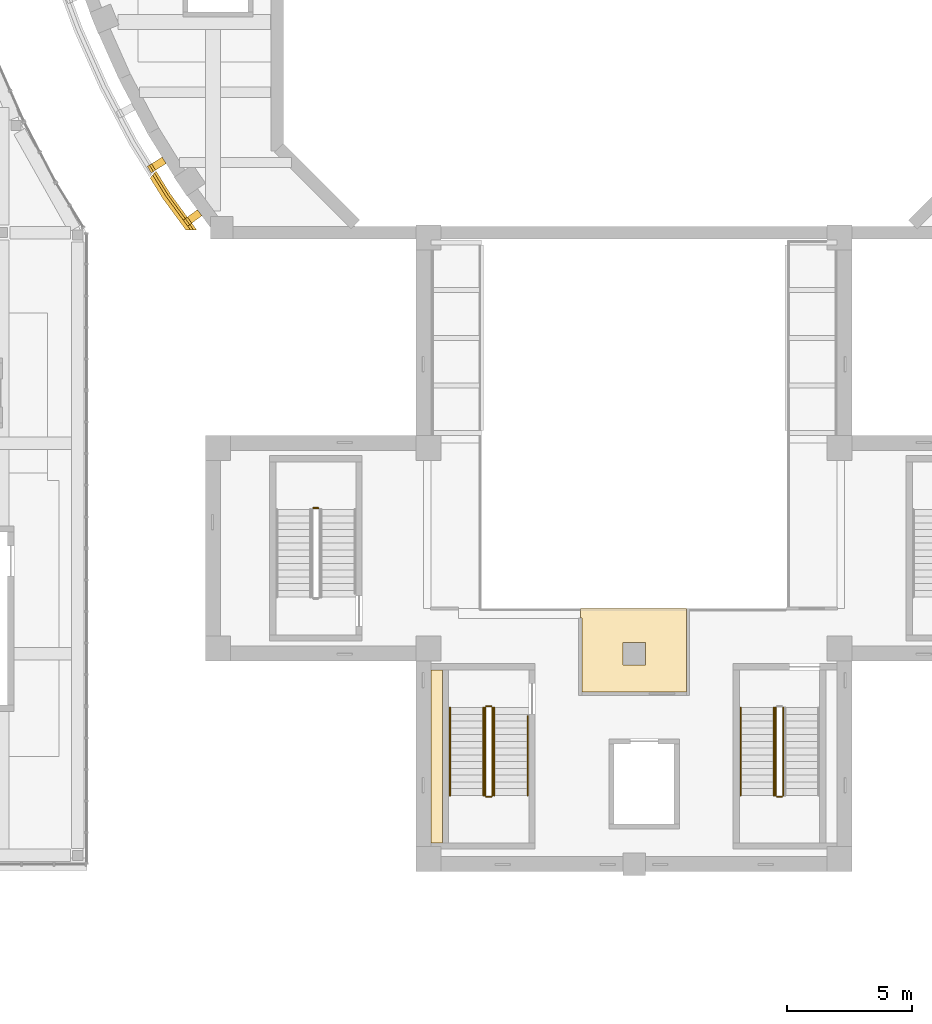
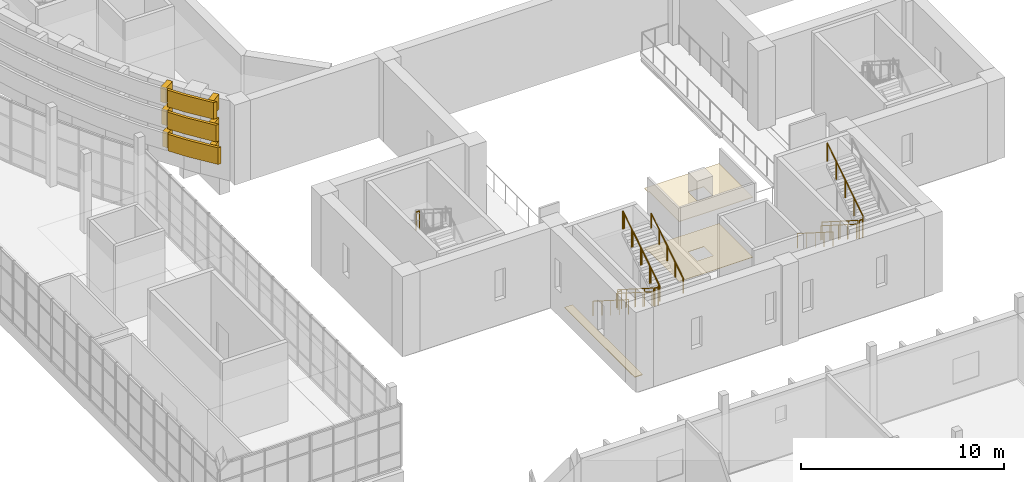
# One storey, part 81 of 103: 14 railings, 12 coverings.
"""IFC4 building model written with IfcOpenShell, lengths in metres."""

import ifcopenshell
import ifcopenshell.guid

model = None  # the IFC model being written
_history = None  # IfcOwnerHistory: only IFC2X3 demands one
_inside = {}  # id of a spatial element -> (the spatial element, [elements in it])
_under = {}  # id of a project, library or spatial element -> (it, [spatial elements below it])
_declared = {}  # id of a project -> (the project, [libraries it declares])
_typed = {}  # id of a type object -> (the type object, [elements of that type])
_made_of = {}  # id of a material, layer set ... -> (it, [elements and type objects made of it])


def new_model(schema):
    """Start an empty IFC model of exactly this schema.

    Asked for "IFC4X3", IfcOpenShell would pick the latest addendum, in which some entities
    have other attributes; the version numbers below select the first issue.
    IFC2X3 requires an IfcOwnerHistory on every rooted entity: one is made here for all.
    """
    global model, _history
    if schema == "IFC4X3":
        model = ifcopenshell.file(schema_version=(4, 3, 0, 0))
    else:
        model = ifcopenshell.file(schema=schema)
    _inside.clear()
    _under.clear()
    _declared.clear()
    _typed.clear()
    _made_of.clear()
    _history = None
    if model.schema == "IFC2X3":
        org = make("IfcOrganization", Name="unknown")
        user = make(
            "IfcPersonAndOrganization",
            ThePerson=make("IfcPerson", FamilyName="unknown"),
            TheOrganization=org,
        )
        app = make(
            "IfcApplication",
            ApplicationDeveloper=org,
            Version="unknown",
            ApplicationFullName="unknown",
            ApplicationIdentifier="unknown",
        )
        _history = make(
            "IfcOwnerHistory",
            OwningUser=user,
            OwningApplication=app,
            ChangeAction="ADDED",
            CreationDate=0,
        )
    return model


def make(cls, **values):
    """One entity of the class cls with the attributes given. An attribute that is None is left unset."""
    return model.create_entity(
        cls, **{name: value for name, value in values.items() if value is not None}
    )


def rooted(cls, **values):
    """An entity with a GlobalId (a new one), such as an element, a storey or a relation."""
    return make(cls, GlobalId=ifcopenshell.guid.new(), OwnerHistory=_history, **values)


def si_unit(unit_type, name, prefix=None):
    """IfcSIUnit, for example si_unit("LENGTHUNIT", "METRE", prefix="MILLI")."""
    return make("IfcSIUnit", UnitType=unit_type, Prefix=prefix, Name=name)


def assignment(units):
    """IfcUnitAssignment: the units of a project."""
    return None if units is None else make("IfcUnitAssignment", Units=units)


def point(xyz):
    """IfcCartesianPoint."""
    return None if xyz is None else make("IfcCartesianPoint", Coordinates=xyz)


def direction(xyz):
    """IfcDirection."""
    return None if xyz is None else make("IfcDirection", DirectionRatios=xyz)


def frame(location, z_axis=None, x_axis=None):
    """IfcAxis2Placement3D, a coordinate frame: its origin and axes. An axis left out is left unset."""
    return make(
        "IfcAxis2Placement3D",
        Location=point(location),
        Axis=direction(z_axis),
        RefDirection=direction(x_axis),
    )


def frame_2d(location, x_axis=None):
    """IfcAxis2Placement2D, a coordinate frame in the plane: its origin and x axis."""
    return make(
        "IfcAxis2Placement2D", Location=point(location), RefDirection=direction(x_axis)
    )


def origin():
    """The frame at (0, 0, 0) with its axes left unset."""
    return frame((0.0, 0.0, 0.0))


def origin_2d():
    """The frame at (0, 0) in the plane with its x axis left unset."""
    return frame_2d((0.0, 0.0))


def place(relative_to, where):
    """IfcLocalPlacement: puts the frame where relative to a parent placement (None: the world)."""
    return make(
        "IfcLocalPlacement", PlacementRelTo=relative_to, RelativePlacement=where
    )


def context(
    kind, dimensions, precision=None, world=None, true_north=None, identifier=None
):
    """IfcGeometricRepresentationContext, for example the 3D "Model" context."""
    return make(
        "IfcGeometricRepresentationContext",
        ContextIdentifier=identifier,
        ContextType=kind,
        CoordinateSpaceDimension=dimensions,
        Precision=precision,
        WorldCoordinateSystem=world,
        TrueNorth=true_north,
    )


def subcontext(parent, identifier, kind, view, scale=None):
    """IfcGeometricRepresentationSubContext, for example "Body" below "Model"."""
    return make(
        "IfcGeometricRepresentationSubContext",
        ContextIdentifier=identifier,
        ContextType=kind,
        ParentContext=parent,
        TargetScale=scale,
        TargetView=view,
    )


def project(units=None, contexts=None):
    """IfcProject with its units and contexts."""
    return rooted(
        "IfcProject",
        Name="project",
        RepresentationContexts=contexts,
        UnitsInContext=assignment(units),
    )


def spatial(cls, under=None, at=None, **own):
    """A site, building, storey or space (cls), placed at a placement, below another one or the project."""
    s = rooted(cls, ObjectPlacement=at, **own)
    if under is not None:
        _under.setdefault(under.id(), (under, []))[1].append(s)
    return s


def polyline(points):
    """IfcPolyline through the points."""
    return make("IfcPolyline", Points=[point(p) for p in points])


def profile(cls, at=None, kind="AREA", **sizes):
    """A parametric profile (cls). Its sizes go by their IFC names, for example OverallWidth=200.0."""
    return make(cls, ProfileType=kind, Position=at, **sizes)


def rectangle(**sizes):
    """IfcRectangleProfileDef."""
    return profile("IfcRectangleProfileDef", **sizes)


def circle(**sizes):
    """IfcCircleProfileDef."""
    return profile("IfcCircleProfileDef", **sizes)


def outline(outer, holes=None, kind="AREA"):
    """IfcArbitraryClosedProfileDef: a profile drawn as a closed curve; with holes, ...WithVoids."""
    if holes is None:
        return make("IfcArbitraryClosedProfileDef", ProfileType=kind, OuterCurve=outer)
    return make(
        "IfcArbitraryProfileDefWithVoids",
        ProfileType=kind,
        OuterCurve=outer,
        InnerCurves=holes,
    )


def extrude(swept, where, along, depth):
    """IfcExtrudedAreaSolid: the profile swept, set in the frame where, extruded along a direction by depth."""
    return make(
        "IfcExtrudedAreaSolid",
        SweptArea=swept,
        Position=where,
        ExtrudedDirection=direction(along),
        Depth=depth,
    )


def shape(context_of_items, identifier, shape_type, items):
    """IfcShapeRepresentation: the items that make up one representation, for example the "Body"."""
    return make(
        "IfcShapeRepresentation",
        ContextOfItems=context_of_items,
        RepresentationIdentifier=identifier,
        RepresentationType=shape_type,
        Items=items,
    )


def material(Name=None, Category=None):
    """IfcMaterial."""
    return make("IfcMaterial", Name=Name, Category=Category)


def layer(
    of_material, thickness, ventilated=None, Name=None, Category=None, Priority=None
):
    """IfcMaterialLayer: one layer of a wall or slab, of a material (None: an air gap)."""
    return make(
        "IfcMaterialLayer",
        Material=of_material,
        LayerThickness=thickness,
        IsVentilated=ventilated,
        Name=Name,
        Category=Category,
        Priority=Priority,
    )


def layer_set(layers, Name=None):
    """IfcMaterialLayerSet."""
    return make("IfcMaterialLayerSet", MaterialLayers=layers, LayerSetName=Name)


def made_of(thing, what):
    """Note that an element or type object is made of a material, layer set ...; save() writes the relation."""
    if what is not None:
        _made_of.setdefault(what.id(), (what, []))[1].append(thing)
    return thing


def type_object(cls, material=None, **own):
    """A type object (cls), such as IfcWallType, which elements share."""
    return made_of(rooted(cls, **own), material)


def element(
    cls,
    number,
    at=None,
    inside=None,
    cuts=None,
    type_object=None,
    material=None,
    context=None,
    identifier="Body",
    shape_type=None,
    held_by="IfcProductDefinitionShape",
    body=None,
    shapes=None,
    **own,
):
    """One element of the class cls, such as IfcWall. Its Tag is "e" and its number.

    at: its placement. inside: the storey or other place that contains it. cuts: it is an
    opening in that element (IfcRelVoidsElement). A single representation is given by context,
    identifier, shape_type and body (its items); several are given by shapes. held_by: the class
    of the entity that holds the representations. save() writes the other relations.
    """
    e = rooted(cls, Tag="e%d" % number, ObjectPlacement=at, **own)
    if body is not None:
        shapes = [shape(context, identifier, shape_type, body)]
    if shapes is not None:
        e.Representation = make(held_by, Representations=shapes)
    if inside is not None:
        _inside.setdefault(inside.id(), (inside, []))[1].append(e)
    if cuts is not None:
        rooted(
            "IfcRelVoidsElement", RelatingBuildingElement=cuts, RelatedOpeningElement=e
        )
    if type_object is not None:
        _typed.setdefault(type_object.id(), (type_object, []))[1].append(e)
    return made_of(e, material)


def aggregate(whole, parts):
    """IfcRelAggregates: a whole, such as a stair, and the parts it consists of."""
    return rooted("IfcRelAggregates", RelatingObject=whole, RelatedObjects=parts)


def save(model, path):
    """Write the relations noted so far, then the file.

    IfcRelAggregates (storeys below a building ...), IfcRelContainedInSpatialStructure (elements
    in a storey), IfcRelDefinesByType, IfcRelAssociatesMaterial and IfcRelDeclares: one each for
    every whole, place, type object, material and project.
    """
    for whole, parts in _under.values():
        aggregate(whole, parts)
    for where, things in _inside.values():
        rooted(
            "IfcRelContainedInSpatialStructure",
            RelatedElements=things,
            RelatingStructure=where,
        )
    for kind, things in _typed.values():
        rooted("IfcRelDefinesByType", RelatedObjects=things, RelatingType=kind)
    for what, things in _made_of.values():
        rooted("IfcRelAssociatesMaterial", RelatedObjects=things, RelatingMaterial=what)
    for by, libraries in _declared.values():
        rooted("IfcRelDeclares", RelatingContext=by, RelatedDefinitions=libraries)
    model.write(path)


model = new_model("IFC4")

# Units and contexts
model_context = context("Model", 3, precision=1e-05, world=origin(), true_north=direction((0.0, 1.0)))
body_context = subcontext(model_context, "Body", "Model", "MODEL_VIEW")
ifc_project = project(units=[si_unit("LENGTHUNIT", "METRE"), si_unit("AREAUNIT", "SQUARE_METRE"), si_unit("VOLUMEUNIT", "CUBIC_METRE"), si_unit("PLANEANGLEUNIT", "RADIAN"), si_unit("MASSUNIT", "GRAM", prefix="KILO")], contexts=[model_context])

# Site, building, storey
site_placement = place(None, origin())
site = spatial("IfcSite", under=ifc_project, at=site_placement, CompositionType="ELEMENT")
building_placement = place(site_placement, origin())
building = spatial("IfcBuilding", under=site, at=building_placement, Name="Larchfold Concert Hall", CompositionType="ELEMENT")
storey_placement = place(building_placement, frame((0.0, 0.0, 9.60009765625)))
storey = spatial("IfcBuildingStorey", under=building, at=storey_placement, Name="L02", CompositionType="ELEMENT", Elevation=9.60009765625)

# Coverings
ifc_material_1 = material(Name="Plasterboard ceiling lining")
ifc_layer_1 = layer(ifc_material_1, 0.030029296875)
ifc_layer_set_1 = layer_set([ifc_layer_1], Name="Plasterboard ceiling lining")
covering_type_1 = type_object("IfcCoveringType", Name="Ceiling suspended plasterboard 30", PredefinedType="CEILING", material=ifc_layer_set_1)
covering_1_placement = place(storey_placement, frame((0.0, 0.0, 3.590087890625)))
element("IfcCovering", 1, at=covering_1_placement, inside=storey, type_object=covering_type_1, Name="Ceiling Technical Workshop", PredefinedType="CEILING", context=body_context, shape_type="SweptSolid", body=[
    extrude(outline(polyline([(40.449462890625, 44.39990234375), (40.449462890625, 44.01904296875), (40.512451171875, 44.01904296875), (40.512451171875, 41.0625), (44.6875, 41.0625), (44.6875, 44.39990234375), (40.449462890625, 44.39990234375)]), holes=[polyline([(43.050048828125, 42.150146484375), (42.150146484375, 42.150146484375), (42.150146484375, 43.050048828125), (43.050048828125, 43.050048828125), (43.050048828125, 42.150146484375)])]), origin(), (0.0, 0.0, 1.0), 0.030029296875),
])
ifc_material_2 = material(Name="Polished terrazzo")
ifc_layer_2 = layer(ifc_material_2, 0.0400390625)
ifc_layer_set_2 = layer_set([ifc_layer_2], Name="Polished terrazzo")
covering_type_2 = type_object("IfcCoveringType", Name="Floor finish terrazzo 40", PredefinedType="FLOORING", material=ifc_layer_set_2)
covering_2_placement = place(storey_placement, origin())
element("IfcCovering", 2, at=covering_2_placement, inside=storey, type_object=covering_type_2, Name="Floor finish Fly Gallery Walkway 01", PredefinedType="FLOORING", context=body_context, shape_type="SweptSolid", body=[
    extrude(outline(polyline([(34.5, 35.050048828125), (34.949951171875, 35.050048828125), (34.949951171875, 41.949951171875), (34.5, 41.949951171875), (34.5, 35.050048828125)])), origin(), (0.0, 0.0, 1.0), 0.0400390625),
])
ifc_material_3 = material(Name="Linoleum sheet")
ifc_layer_3 = layer(ifc_material_3, 0.02001953125)
ifc_layer_set_3 = layer_set([ifc_layer_3], Name="Linoleum sheet")
covering_type_3 = type_object("IfcCoveringType", Name="Floor finish vinyl 20", PredefinedType="FLOORING", material=ifc_layer_set_3)
covering_3_placement = place(storey_placement, origin())
element("IfcCovering", 3, at=covering_3_placement, inside=storey, type_object=covering_type_3, Name="Floor finish Technical Workshop", PredefinedType="FLOORING", context=body_context, shape_type="SweptSolid", body=[
    extrude(outline(polyline([(40.449462890625, 44.39990234375), (40.449462890625, 44.01904296875), (40.512451171875, 44.01904296875), (40.512451171875, 41.0625), (44.6875, 41.0625), (44.6875, 44.39990234375), (40.449462890625, 44.39990234375)]), holes=[polyline([(43.050048828125, 42.150146484375), (42.150146484375, 42.150146484375), (42.150146484375, 43.050048828125), (43.050048828125, 43.050048828125), (43.050048828125, 42.150146484375)])]), origin(), (0.0, 0.0, 1.0), 0.02001953125),
])
ifc_material_4 = material(Name="Powder-coated orange aluminium", Category="aluminium")
ifc_layer_4 = layer(ifc_material_4, 0.14990234375)
ifc_layer_set_4 = layer_set([ifc_layer_4], Name="Powder-coated orange aluminium")
covering_type_4 = type_object("IfcCoveringType", Name="Orange aluminium ring cladding", PredefinedType="CLADDING", material=ifc_layer_set_4)
covering_4_placement = place(storey_placement, frame((0.0, 0.0, 1.2998046875)))
element("IfcCovering", 4, at=covering_4_placement, inside=storey, type_object=covering_type_4, Name="Ring band R03d", PredefinedType="CLADDING", context=body_context, shape_type="SweptSolid", body=[
    extrude(outline(polyline([(23.523681640625, 61.858154296875), (23.422119140625, 61.7373046875), (23.960205078125, 60.87158203125), (24.96435546875, 59.5), (25.150390625, 59.5), (24.084716796875, 60.95556640625), (23.523681640625, 61.858154296875)])), origin(), (0.0, 0.0, 1.0), 1.0),
])
covering_5_placement = place(storey_placement, frame((0.0, 0.0, 2.699951171875)))
element("IfcCovering", 5, at=covering_5_placement, inside=storey, type_object=covering_type_4, Name="Ring band R04d", PredefinedType="CLADDING", context=body_context, shape_type="SweptSolid", body=[
    extrude(outline(polyline([(23.4560546875, 61.777587890625), (23.3544921875, 61.656982421875), (23.877197265625, 60.8154296875), (24.840576171875, 59.5), (25.0263671875, 59.5), (24.001708984375, 60.899658203125), (23.4560546875, 61.777587890625)])), origin(), (0.0, 0.0, 1.0), 1.0),
])
covering_6_placement = place(storey_placement, frame((0.0, 0.0, 4.099853515625)))
element("IfcCovering", 6, at=covering_6_placement, inside=storey, type_object=covering_type_4, Name="Ring band R05d", PredefinedType="CLADDING", context=body_context, shape_type="SweptSolid", body=[
    extrude(outline(polyline([(23.388427734375, 61.697021484375), (23.286865234375, 61.576416015625), (23.79443359375, 60.759521484375), (24.716552734375, 59.5), (24.90234375, 59.5), (23.918701171875, 60.843505859375), (23.388427734375, 61.697021484375)])), origin(), (0.0, 0.0, 1.0), 1.0),
])
ifc_material_5 = material(Name="Galvanised steel bracket", Category="steel")
ifc_layer_5 = layer(ifc_material_5, 0.300048828125)
ifc_layer_set_5 = layer_set([ifc_layer_5], Name="Galvanised steel bracket")
covering_type_5 = type_object("IfcCoveringType", Name="Ring support bracket", PredefinedType="CLADDING", material=ifc_layer_set_5)
for number, where, z_axis, x_axis, name in (
    (7, (23.635986328125, 62.1513671875, 1.349853515625), (0.0, 0.0, 1.0), (-0.849390839977, -0.527764342263, 0.0), "Ring bracket BR-R03-25"),
    (8, (25.06103515625, 60.045166015625, 1.349853515625), (0.0, 0.0, 1.0), (-0.80684915404, -0.590757515927, 0.0), "Ring bracket BR-R03-26"),
):
    element("IfcCovering", number, at=place(storey_placement, frame(where, z_axis=z_axis, x_axis=x_axis)), inside=storey, type_object=covering_type_5, Name=name, PredefinedType="CLADDING", context=body_context, shape_type="SweptSolid", body=[
        extrude(rectangle(XDim=0.5, YDim=0.300048828125, at=origin_2d()), origin(), (0.0, 0.0, 1.0), 0.89990234375),
    ])
for number, where, z_axis, x_axis, name in (
    (9, (23.593505859375, 62.125, 2.75), (0.0, 0.0, 1.0), (-0.849390839977, -0.527764342263, 0.0), "Ring bracket BR-R04-25"),
    (10, (25.020751953125, 60.015625, 2.75), (0.0, 0.0, 1.0), (-0.80684915404, -0.590757515927, 0.0), "Ring bracket BR-R04-26"),
):
    element("IfcCovering", number, at=place(storey_placement, frame(where, z_axis=z_axis, x_axis=x_axis)), inside=storey, type_object=covering_type_5, Name=name, PredefinedType="CLADDING", context=body_context, shape_type="SweptSolid", body=[
        extrude(rectangle(XDim=0.60009765625, YDim=0.300048828125, at=origin_2d()), origin(), (0.0, 0.0, 1.0), 0.89990234375),
    ])
for number, where, z_axis, x_axis, name in (
    (11, (23.551025390625, 62.0986328125, 4.14990234375), (0.0, 0.0, 1.0), (-0.849390839977, -0.527764342263, 0.0), "Ring bracket BR-R05-25"),
    (12, (24.98046875, 59.986083984375, 4.14990234375), (0.0, 0.0, 1.0), (-0.80684915404, -0.590757515927, 0.0), "Ring bracket BR-R05-26"),
):
    element("IfcCovering", number, at=place(storey_placement, frame(where, z_axis=z_axis, x_axis=x_axis)), inside=storey, type_object=covering_type_5, Name=name, PredefinedType="CLADDING", context=body_context, shape_type="SweptSolid", body=[
        extrude(rectangle(XDim=0.699951171875, YDim=0.300048828125, at=origin_2d()), origin(), (0.0, 0.0, 1.0), 0.89990234375),
    ])

# Railings
ifc_material_6 = material(Name="Stainless steel balustrade", Category="steel")
railing_type_1 = type_object("IfcRailingType", Name="Stair guard 1100", PredefinedType="GUARDRAIL", material=ifc_material_6)
railing_1_placement = place(storey_placement, frame((30.0, 48.41015625, 2.39990234375)))
element("IfcRailing", 13, at=railing_1_placement, inside=storey, type_object=railing_type_1, Name="Guard GR0037", PredefinedType="GUARDRAIL", context=body_context, shape_type="SweptSolid", body=[
    extrude(circle(Radius=0.02392578125, at=origin_2d()), frame((0.0, 0.0, 1.076171875), z_axis=(-1.0, 0.0, 0.0), x_axis=(0.0, -1.0, 0.0)), (0.0, 0.0, 1.0), 0.199951171875),
    extrude(circle(Radius=0.02099609375, at=origin_2d()), origin(), (0.0, 0.0, 1.0), 1.052001953125),
    extrude(circle(Radius=0.02099609375, at=origin_2d()), frame((-0.199951171875, 0.0, 0.0)), (0.0, 0.0, 1.0), 1.052001953125),
])
railing_2_placement = place(storey_placement, frame((36.64990234375, 40.449951171875, 0.17138671875)))
element("IfcRailing", 14, at=railing_2_placement, inside=storey, type_object=railing_type_1, Name="Guard GR0044", PredefinedType="GUARDRAIL", context=body_context, shape_type="SweptSolid", body=[
    extrude(circle(Radius=0.02392578125, at=origin_2d()), frame((0.0, 0.0, 1.076171875), z_axis=(0.0, -0.844219563411, 0.53599750816), x_axis=(1.0, 0.0, 0.0)), (0.0, 0.0, 1.0), 4.15771484375),
    extrude(circle(Radius=0.02099609375, at=origin_2d()), origin(), (0.0, 0.0, 1.0), 1.052001953125),
    extrude(circle(Radius=0.02099609375, at=origin_2d()), frame((0.0, -0.87744140625, 0.55712890625)), (0.0, 0.0, 1.0), 1.052001953125),
    extrude(circle(Radius=0.02099609375, at=origin_2d()), frame((0.0, -1.7548828125, 1.1142578125)), (0.0, 0.0, 1.0), 1.052001953125),
    extrude(circle(Radius=0.02099609375, at=origin_2d()), frame((0.0, -2.632568359375, 1.67138671875)), (0.0, 0.0, 1.0), 1.052001953125),
    extrude(circle(Radius=0.02099609375, at=origin_2d()), frame((0.0, -3.510009765625, 2.228515625)), (0.0, 0.0, 1.0), 1.052001953125),
])
railing_3_placement = place(storey_placement, frame((36.699951171875, 36.889892578125, 2.39990234375)))
element("IfcRailing", 15, at=railing_3_placement, inside=storey, type_object=railing_type_1, Name="Guard GR0045", PredefinedType="GUARDRAIL", context=body_context, shape_type="SweptSolid", body=[
    extrude(circle(Radius=0.02392578125, at=origin_2d()), frame((0.0, 0.0, 1.076171875), z_axis=(1.0, 0.0, 0.0), x_axis=(0.0, 1.0, 0.0)), (0.0, 0.0, 1.0), 0.199951171875),
    extrude(circle(Radius=0.02099609375, at=origin_2d()), origin(), (0.0, 0.0, 1.0), 1.052001953125),
    extrude(circle(Radius=0.02099609375, at=origin_2d()), frame((0.199951171875, 0.0, 0.0)), (0.0, 0.0, 1.0), 1.052001953125),
])
railing_4_placement = place(storey_placement, frame((36.949951171875, 36.93994140625, 2.5712890625)))
element("IfcRailing", 16, at=railing_4_placement, inside=storey, type_object=railing_type_1, Name="Guard GR0046", PredefinedType="GUARDRAIL", context=body_context, shape_type="SweptSolid", body=[
    extrude(circle(Radius=0.02392578125, at=origin_2d()), frame((0.0, 0.0, 1.076171875), z_axis=(0.0, 0.844219563411, 0.53599750816), x_axis=(-1.0, 0.0, 0.0)), (0.0, 0.0, 1.0), 4.15771484375),
    extrude(circle(Radius=0.02099609375, at=origin_2d()), origin(), (0.0, 0.0, 1.0), 1.052001953125),
    extrude(circle(Radius=0.02099609375, at=origin_2d()), frame((0.0, 0.87744140625, 0.55712890625)), (0.0, 0.0, 1.0), 1.052001953125),
    extrude(circle(Radius=0.02099609375, at=origin_2d()), frame((0.0, 1.7548828125, 1.1142578125)), (0.0, 0.0, 1.0), 1.052001953125),
    extrude(circle(Radius=0.02099609375, at=origin_2d()), frame((0.0, 2.632568359375, 1.67138671875)), (0.0, 0.0, 1.0), 1.052001953125),
    extrude(circle(Radius=0.02099609375, at=origin_2d()), frame((0.0, 3.510009765625, 2.228515625)), (0.0, 0.0, 1.0), 1.052001953125),
])
railing_5_placement = place(storey_placement, frame((36.699951171875, 40.5, 0.0)))
element("IfcRailing", 17, at=railing_5_placement, inside=storey, type_object=railing_type_1, Name="Guard GR0047", PredefinedType="GUARDRAIL", context=body_context, shape_type="SweptSolid", body=[
    extrude(circle(Radius=0.02392578125, at=origin_2d()), frame((0.0, 0.0, 1.076171875), z_axis=(1.0, 0.0, 0.0), x_axis=(0.0, 1.0, 0.0)), (0.0, 0.0, 1.0), 0.199951171875),
    extrude(circle(Radius=0.02099609375, at=origin_2d()), origin(), (0.0, 0.0, 1.0), 1.052001953125),
    extrude(circle(Radius=0.02099609375, at=origin_2d()), frame((0.199951171875, 0.0, 0.0)), (0.0, 0.0, 1.0), 1.052001953125),
])
railing_6_placement = place(storey_placement, frame((48.25, 40.449951171875, 0.17138671875)))
element("IfcRailing", 18, at=railing_6_placement, inside=storey, type_object=railing_type_1, Name="Guard GR0048", PredefinedType="GUARDRAIL", context=body_context, shape_type="SweptSolid", body=[
    extrude(circle(Radius=0.02392578125, at=origin_2d()), frame((0.0, 0.0, 1.076171875), z_axis=(0.0, -0.844219563411, 0.53599750816), x_axis=(1.0, 0.0, 0.0)), (0.0, 0.0, 1.0), 4.15771484375),
    extrude(circle(Radius=0.02099609375, at=origin_2d()), origin(), (0.0, 0.0, 1.0), 1.052001953125),
    extrude(circle(Radius=0.02099609375, at=origin_2d()), frame((0.0, -0.87744140625, 0.55712890625)), (0.0, 0.0, 1.0), 1.052001953125),
    extrude(circle(Radius=0.02099609375, at=origin_2d()), frame((0.0, -1.7548828125, 1.1142578125)), (0.0, 0.0, 1.0), 1.052001953125),
    extrude(circle(Radius=0.02099609375, at=origin_2d()), frame((0.0, -2.632568359375, 1.67138671875)), (0.0, 0.0, 1.0), 1.052001953125),
    extrude(circle(Radius=0.02099609375, at=origin_2d()), frame((0.0, -3.510009765625, 2.228515625)), (0.0, 0.0, 1.0), 1.052001953125),
])
railing_7_placement = place(storey_placement, frame((48.300048828125, 36.889892578125, 2.39990234375)))
element("IfcRailing", 19, at=railing_7_placement, inside=storey, type_object=railing_type_1, Name="Guard GR0049", PredefinedType="GUARDRAIL", context=body_context, shape_type="SweptSolid", body=[
    extrude(circle(Radius=0.02392578125, at=origin_2d()), frame((0.0, 0.0, 1.076171875), z_axis=(1.0, 0.0, 0.0), x_axis=(0.0, 1.0, 0.0)), (0.0, 0.0, 1.0), 0.199951171875),
    extrude(circle(Radius=0.02099609375, at=origin_2d()), origin(), (0.0, 0.0, 1.0), 1.052001953125),
    extrude(circle(Radius=0.02099609375, at=origin_2d()), frame((0.199951171875, 0.0, 0.0)), (0.0, 0.0, 1.0), 1.052001953125),
])
railing_8_placement = place(storey_placement, frame((48.550048828125, 36.93994140625, 2.5712890625)))
element("IfcRailing", 20, at=railing_8_placement, inside=storey, type_object=railing_type_1, Name="Guard GR0050", PredefinedType="GUARDRAIL", context=body_context, shape_type="SweptSolid", body=[
    extrude(circle(Radius=0.02392578125, at=origin_2d()), frame((0.0, 0.0, 1.076171875), z_axis=(0.0, 0.844219563411, 0.53599750816), x_axis=(-1.0, 0.0, 0.0)), (0.0, 0.0, 1.0), 4.15771484375),
    extrude(circle(Radius=0.02099609375, at=origin_2d()), origin(), (0.0, 0.0, 1.0), 1.052001953125),
    extrude(circle(Radius=0.02099609375, at=origin_2d()), frame((0.0, 0.87744140625, 0.55712890625)), (0.0, 0.0, 1.0), 1.052001953125),
    extrude(circle(Radius=0.02099609375, at=origin_2d()), frame((0.0, 1.7548828125, 1.1142578125)), (0.0, 0.0, 1.0), 1.052001953125),
    extrude(circle(Radius=0.02099609375, at=origin_2d()), frame((0.0, 2.632568359375, 1.67138671875)), (0.0, 0.0, 1.0), 1.052001953125),
    extrude(circle(Radius=0.02099609375, at=origin_2d()), frame((0.0, 3.510009765625, 2.228515625)), (0.0, 0.0, 1.0), 1.052001953125),
])
ifc_material_7 = material(Name="Stainless steel handrail", Category="steel")
railing_type_2 = type_object("IfcRailingType", Name="Stair handrail 900", PredefinedType="HANDRAIL", material=ifc_material_7)
railing_9_placement = place(storey_placement, frame((35.25, 40.449951171875, 0.17138671875)))
element("IfcRailing", 21, at=railing_9_placement, inside=storey, type_object=railing_type_2, Name="Handrail HR0041", PredefinedType="HANDRAIL", context=body_context, shape_type="SweptSolid", body=[
    extrude(circle(Radius=0.02392578125, at=origin_2d()), frame((0.0, 0.0, 0.8759765625), z_axis=(0.0, -0.844219563411, 0.53599750816), x_axis=(1.0, 0.0, 0.0)), (0.0, 0.0, 1.0), 4.15771484375),
    extrude(circle(Radius=0.02099609375, at=origin_2d()), origin(), (0.0, 0.0, 1.0), 0.851806640625),
    extrude(circle(Radius=0.02099609375, at=origin_2d()), frame((0.0, -0.87744140625, 0.55712890625)), (0.0, 0.0, 1.0), 0.851806640625),
    extrude(circle(Radius=0.02099609375, at=origin_2d()), frame((0.0, -1.7548828125, 1.1142578125)), (0.0, 0.0, 1.0), 0.851806640625),
    extrude(circle(Radius=0.02099609375, at=origin_2d()), frame((0.0, -2.632568359375, 1.67138671875)), (0.0, 0.0, 1.0), 0.851806640625),
    extrude(circle(Radius=0.02099609375, at=origin_2d()), frame((0.0, -3.510009765625, 2.228515625)), (0.0, 0.0, 1.0), 0.851806640625),
])
railing_10_placement = place(storey_placement, frame((38.35009765625, 36.93994140625, 2.5712890625)))
element("IfcRailing", 22, at=railing_10_placement, inside=storey, type_object=railing_type_2, Name="Handrail HR0042", PredefinedType="HANDRAIL", context=body_context, shape_type="SweptSolid", body=[
    extrude(circle(Radius=0.02392578125, at=origin_2d()), frame((0.0, 0.0, 0.8759765625), z_axis=(0.0, 0.844224994989, 0.535988953092), x_axis=(-1.0, 0.0, 0.0)), (0.0, 0.0, 1.0), 3.7431640625),
    extrude(circle(Radius=0.02099609375, at=origin_2d()), origin(), (0.0, 0.0, 1.0), 0.851806640625),
    extrude(circle(Radius=0.02099609375, at=origin_2d()), frame((0.0, 0.7900390625, 0.50146484375)), (0.0, 0.0, 1.0), 0.851806640625),
    extrude(circle(Radius=0.02099609375, at=origin_2d()), frame((0.0, 1.580078125, 1.003173828125)), (0.0, 0.0, 1.0), 0.851806640625),
    extrude(circle(Radius=0.02099609375, at=origin_2d()), frame((0.0, 2.3701171875, 1.5048828125)), (0.0, 0.0, 1.0), 0.851806640625),
    extrude(circle(Radius=0.02099609375, at=origin_2d()), frame((0.0, 3.16015625, 2.00634765625)), (0.0, 0.0, 1.0), 0.851806640625),
])
railing_11_placement = place(storey_placement, frame((36.579833984375, 40.449951171875, 0.17138671875)))
element("IfcRailing", 23, at=railing_11_placement, inside=storey, type_object=railing_type_2, Name="Handrail HR0043", PredefinedType="HANDRAIL", context=body_context, shape_type="SweptSolid", body=[
    extrude(circle(Radius=0.02392578125, at=origin_2d()), frame((0.0, 0.0, 0.8759765625), z_axis=(0.0, -0.844219563411, 0.53599750816), x_axis=(1.0, 0.0, 0.0)), (0.0, 0.0, 1.0), 4.15771484375),
    extrude(circle(Radius=0.02099609375, at=origin_2d()), origin(), (0.0, 0.0, 1.0), 0.851806640625),
    extrude(circle(Radius=0.02099609375, at=origin_2d()), frame((0.0, -0.87744140625, 0.55712890625)), (0.0, 0.0, 1.0), 0.851806640625),
    extrude(circle(Radius=0.02099609375, at=origin_2d()), frame((0.0, -1.7548828125, 1.1142578125)), (0.0, 0.0, 1.0), 0.851806640625),
    extrude(circle(Radius=0.02099609375, at=origin_2d()), frame((0.0, -2.632568359375, 1.67138671875)), (0.0, 0.0, 1.0), 0.851806640625),
    extrude(circle(Radius=0.02099609375, at=origin_2d()), frame((0.0, -3.510009765625, 2.228515625)), (0.0, 0.0, 1.0), 0.851806640625),
])
railing_12_placement = place(storey_placement, frame((37.02001953125, 36.93994140625, 2.5712890625)))
element("IfcRailing", 24, at=railing_12_placement, inside=storey, type_object=railing_type_2, Name="Handrail HR0044", PredefinedType="HANDRAIL", context=body_context, shape_type="SweptSolid", body=[
    extrude(circle(Radius=0.02392578125, at=origin_2d()), frame((0.0, 0.0, 0.8759765625), z_axis=(0.0, 0.844219563411, 0.53599750816), x_axis=(-1.0, 0.0, 0.0)), (0.0, 0.0, 1.0), 4.15771484375),
    extrude(circle(Radius=0.02099609375, at=origin_2d()), origin(), (0.0, 0.0, 1.0), 0.851806640625),
    extrude(circle(Radius=0.02099609375, at=origin_2d()), frame((0.0, 0.87744140625, 0.55712890625)), (0.0, 0.0, 1.0), 0.851806640625),
    extrude(circle(Radius=0.02099609375, at=origin_2d()), frame((0.0, 1.7548828125, 1.1142578125)), (0.0, 0.0, 1.0), 0.851806640625),
    extrude(circle(Radius=0.02099609375, at=origin_2d()), frame((0.0, 2.632568359375, 1.67138671875)), (0.0, 0.0, 1.0), 0.851806640625),
    extrude(circle(Radius=0.02099609375, at=origin_2d()), frame((0.0, 3.510009765625, 2.228515625)), (0.0, 0.0, 1.0), 0.851806640625),
])
for number, where, name in (
    (25, (46.85009765625, 40.449951171875, 0.17138671875), "Handrail HR0045"),
    (26, (48.179931640625, 40.449951171875, 0.17138671875), "Handrail HR0047"),
):
    element("IfcRailing", number, at=place(storey_placement, frame(where)), inside=storey, type_object=railing_type_2, Name=name, PredefinedType="HANDRAIL", context=body_context, shape_type="SweptSolid", body=[
        extrude(circle(Radius=0.02392578125, at=origin_2d()), frame((0.0, 0.0, 0.8759765625), z_axis=(0.0, -0.844219563411, 0.53599750816), x_axis=(1.0, 0.0, 0.0)), (0.0, 0.0, 1.0), 4.15771484375),
        extrude(circle(Radius=0.02099609375, at=origin_2d()), origin(), (0.0, 0.0, 1.0), 0.851806640625),
        extrude(circle(Radius=0.02099609375, at=origin_2d()), frame((0.0, -0.87744140625, 0.55712890625)), (0.0, 0.0, 1.0), 0.851806640625),
        extrude(circle(Radius=0.02099609375, at=origin_2d()), frame((0.0, -1.7548828125, 1.1142578125)), (0.0, 0.0, 1.0), 0.851806640625),
        extrude(circle(Radius=0.02099609375, at=origin_2d()), frame((0.0, -2.632568359375, 1.67138671875)), (0.0, 0.0, 1.0), 0.851806640625),
        extrude(circle(Radius=0.02099609375, at=origin_2d()), frame((0.0, -3.510009765625, 2.228515625)), (0.0, 0.0, 1.0), 0.851806640625),
    ])

save(model, "model.ifc")
